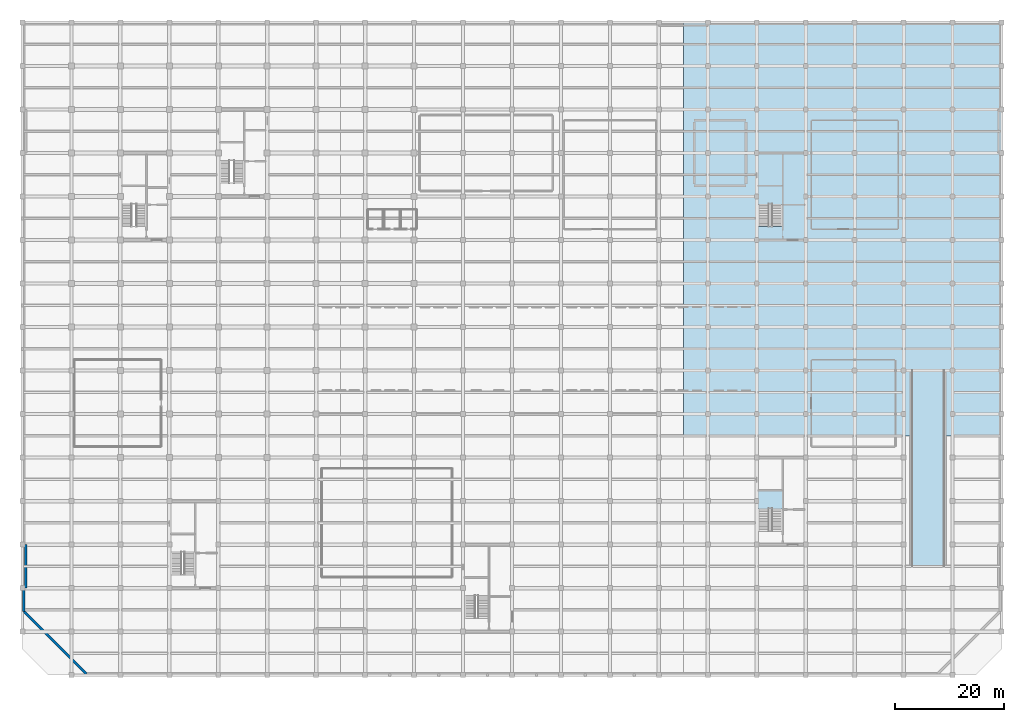
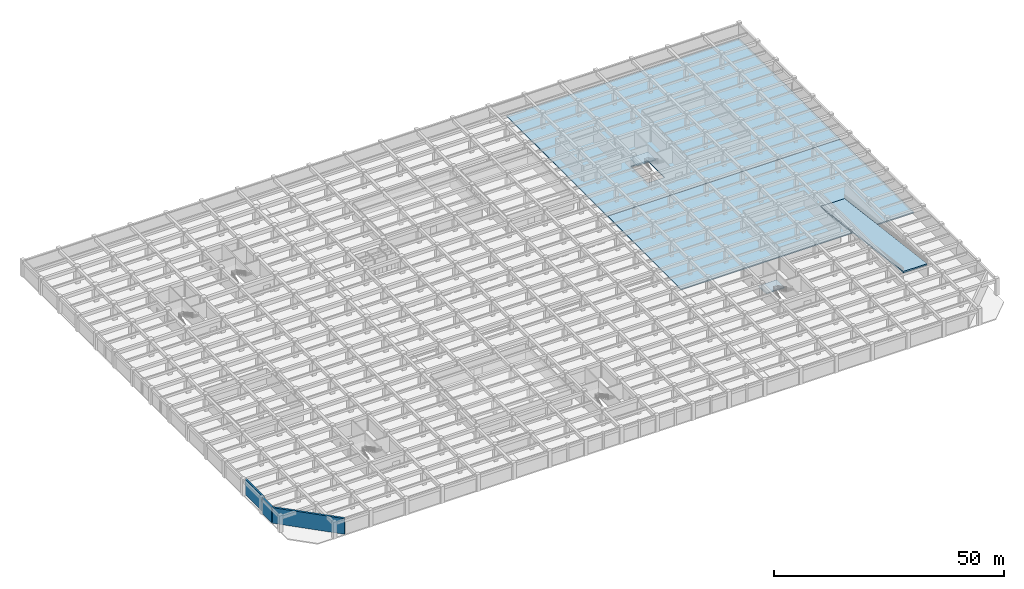
# One storey, part 8 of 26: 5 slabs, 3 walls, 2 elements without a shape of their own.
"""IFC4 building model written with IfcOpenShell, lengths in metres."""

from ifc_helpers import new_model, si_unit, direction, frame, frame_2d, origin, place, context, subcontext, project, spatial, polyline, rectangle, outline, extrude, material, layer, layer_set, type_object, element, aggregate, save


model = new_model("IFC4")

# Units and contexts
model_context = context("Model", 3, precision=1e-05, world=origin(), true_north=direction((0.0, 1.0)))
body_context = subcontext(model_context, "Body", "Model", "MODEL_VIEW")
ifc_project = project(units=[si_unit("LENGTHUNIT", "METRE"), si_unit("AREAUNIT", "SQUARE_METRE"), si_unit("VOLUMEUNIT", "CUBIC_METRE"), si_unit("PLANEANGLEUNIT", "RADIAN"), si_unit("MASSUNIT", "GRAM", prefix="KILO")], contexts=[model_context])

# Site, building, storey
site_placement = place(None, origin())
site = spatial("IfcSite", under=ifc_project, at=site_placement, CompositionType="ELEMENT")
building_placement = place(site_placement, origin())
building = spatial("IfcBuilding", under=site, at=building_placement, Name="Zaverband Oceanarium and Marine Research Institute", CompositionType="ELEMENT")
storey_placement = place(building_placement, frame((0.0, 0.0, -4.5)))
storey = spatial("IfcBuildingStorey", under=building, at=storey_placement, Name="B1", CompositionType="ELEMENT", Elevation=-4.5)

# Slabs
ifc_material_1 = material(Name="Concrete C40/50", Category="concrete")
ifc_layer_1 = layer(ifc_material_1, 0.300048828125, Name="Concrete C40/50")
ifc_layer_set_1 = layer_set([ifc_layer_1], Name="Concrete C40/50")
slab_type_1 = type_object("IfcSlabType", Name="SLB-BSM-300", PredefinedType="FLOOR", material=ifc_layer_set_1)
slab_1_placement = place(storey_placement, frame((0.0, 0.0, -0.300048828125)))
element("IfcSlab", 1, at=slab_1_placement, inside=storey, type_object=slab_type_1, Name="Suspended floor slab SLB-BSM-300", PredefinedType="FLOOR", context=body_context, shape_type="SweptSolid", body=[
    extrude(outline(polyline([(121.514892578125, 75.985107421875), (180.0, 75.985107421875), (180.0, 44.014892578125), (121.514892578125, 44.014892578125), (121.514892578125, 75.985107421875)])), origin(), (0.0, 0.0, 1.0), 0.300048828125),
])
slab_2_placement = place(storey_placement, frame((0.0, 0.0, -0.300048828125)))
element("IfcSlab", 2, at=slab_2_placement, inside=storey, type_object=slab_type_1, Name="Suspended floor slab SLB-BSM-300", PredefinedType="FLOOR", context=body_context, shape_type="SweptSolid", body=[
    extrude(outline(polyline([(121.514892578125, 120.0), (180.0, 120.0), (180.0, 76.014892578125), (121.514892578125, 76.014892578125), (121.514892578125, 120.0)]), holes=[polyline([(139.64990234375, 89.85009765625), (135.35009765625, 89.85009765625), (135.35009765625, 82.5), (139.64990234375, 82.5), (139.64990234375, 89.85009765625)])]), origin(), (0.0, 0.0, 1.0), 0.300048828125),
])

# Stair, slab
stair_type = type_object("IfcStairType", Name="STR-POD-1800-4500", PredefinedType="HALF_TURN_STAIR", material=ifc_material_1)
stair_1_placement = place(storey_placement, origin())
stair_1 = element("IfcStair", 3, at=stair_1_placement, inside=storey, type_object=stair_type, Name="Exit Stair ST-04 (B1)", PredefinedType="HALF_TURN_STAIR")
ifc_layer_2 = layer(ifc_material_1, 0.219970703125, Name="Concrete C40/50")
ifc_layer_set_2 = layer_set([ifc_layer_2], Name="Concrete C40/50")
slab_type_2 = type_object("IfcSlabType", Name="SLB-LND-220", PredefinedType="LANDING", material=ifc_layer_set_2)
slab_3_placement = place(storey_placement, frame((0.0, 0.0, 2.030029296875)))
slab_3 = element("IfcSlab", 4, at=slab_3_placement, type_object=slab_type_2, Name="Stair / ramp landing slab SLB-LND-220", PredefinedType="LANDING", context=body_context, shape_type="SweptSolid", body=[
    extrude(outline(polyline([(135.139892578125, 30.570068359375), (139.735107421875, 30.570068359375), (139.735107421875, 33.93505859375), (135.139892578125, 33.93505859375), (135.139892578125, 30.570068359375)])), origin(), (0.0, 0.0, 1.0), 0.219970703125),
])
aggregate(stair_1, [slab_3])

stair_2_placement = place(storey_placement, origin())
stair_2 = element("IfcStair", 5, at=stair_2_placement, inside=storey, type_object=stair_type, Name="Exit Stair ST-05 (B1)", PredefinedType="HALF_TURN_STAIR")
slab_4_placement = place(storey_placement, frame((0.0, 0.0, 2.030029296875)))
slab_4 = element("IfcSlab", 6, at=slab_4_placement, type_object=slab_type_2, Name="Stair / ramp landing slab SLB-LND-220", PredefinedType="LANDING", context=body_context, shape_type="SweptSolid", body=[
    extrude(outline(polyline([(135.139892578125, 86.570068359375), (139.735107421875, 86.570068359375), (139.735107421875, 89.93505859375), (135.139892578125, 89.93505859375), (135.139892578125, 86.570068359375)])), origin(), (0.0, 0.0, 1.0), 0.219970703125),
])
aggregate(stair_2, [slab_4])

# Slab
ifc_layer_3 = layer(ifc_material_1, 0.35009765625, Name="Concrete C40/50")
ifc_layer_set_3 = layer_set([ifc_layer_3], Name="Concrete C40/50")
slab_type_3 = type_object("IfcSlabType", Name="SLB-RMP-350", PredefinedType="USERDEFINED", material=ifc_layer_set_3)
slab_5_placement = place(storey_placement, frame((163.5, 56.0, 0.0), z_axis=(0.0, 0.124204751292, 0.992256609833), x_axis=(1.0, 0.0, 0.0)))
element("IfcSlab", 7, at=slab_5_placement, inside=storey, type_object=slab_type_3, Name="Service and Quarantine Vehicle Ramp VR-01", ObjectType="RAMP", PredefinedType="USERDEFINED", context=body_context, shape_type="SweptSolid", body=[
    extrude(outline(polyline([(0.0, 0.0), (6.0, 0.0), (6.0, -36.230498054266334), (0.0, -36.230498054266334), (0.0, 0.0)])), origin(), (0.0, 0.0, -1.0), 0.35009765625),
])

# Walls
ifc_material_2 = material(Name="Concrete C45/55", Category="concrete")
ifc_layer_4 = layer(ifc_material_2, 0.47998046875, Name="Concrete C45/55")
ifc_layer_set_4 = layer_set([ifc_layer_4], Name="Concrete C45/55")
wall_type_1 = type_object("IfcWallType", Name="RW-01", PredefinedType="SHEAR", material=ifc_layer_set_4)
wall_1_placement = place(storey_placement, frame((0.25, 16.0, 0.0), z_axis=(0.0, 0.0, 1.0), x_axis=(0.0, -1.0, 0.0)))
element("IfcWall", 8, at=wall_1_placement, inside=storey, type_object=wall_type_1, Name="Basement retaining wall RW-01", PredefinedType="SHEAR", context=body_context, shape_type="SweptSolid", body=[
    extrude(rectangle(XDim=4.25, YDim=0.47998046875, at=frame_2d((2.125, 0.0))), origin(), (0.0, 0.0, 1.0), 4.14990234375),
])
wall_2_placement = place(storey_placement, frame((0.25, 11.75, 0.0), z_axis=(0.0, 0.0, 1.0), x_axis=(0.707106781187, -0.707106781187, 0.0)))
element("IfcWall", 9, at=wall_2_placement, inside=storey, type_object=wall_type_1, Name="Basement retaining wall RW-01", PredefinedType="SHEAR", context=body_context, shape_type="SweptSolid", body=[
    extrude(rectangle(XDim=16.263427734375, YDim=0.47998046875, at=frame_2d((8.1318359375, 0.0))), origin(), (0.0, 0.0, 1.0), 4.14990234375),
])
ifc_material_3 = material(Name="Concrete C50/60", Category="concrete")
ifc_layer_5 = layer(ifc_material_3, 0.419921875, Name="Concrete C50/60")
ifc_layer_set_5 = layer_set([ifc_layer_5], Name="Concrete C50/60")
wall_type_2 = type_object("IfcWallType", Name="SW-01", PredefinedType="SHEAR", material=ifc_layer_set_5)
wall_3_placement = place(storey_placement, frame((0.60009765625, 16.0, 0.0), z_axis=(0.0, 0.0, 1.0), x_axis=(0.0, 1.0, 0.0)))
element("IfcWall", 10, at=wall_3_placement, inside=storey, type_object=wall_type_2, Name="Structural shear wall SW-01", PredefinedType="SHEAR", context=body_context, shape_type="SweptSolid", body=[
    extrude(rectangle(XDim=8.0, YDim=0.419921875, at=frame_2d((4.0, 0.0))), origin(), (0.0, 0.0, 1.0), 4.14990234375),
])

save(model, "model.ifc")
